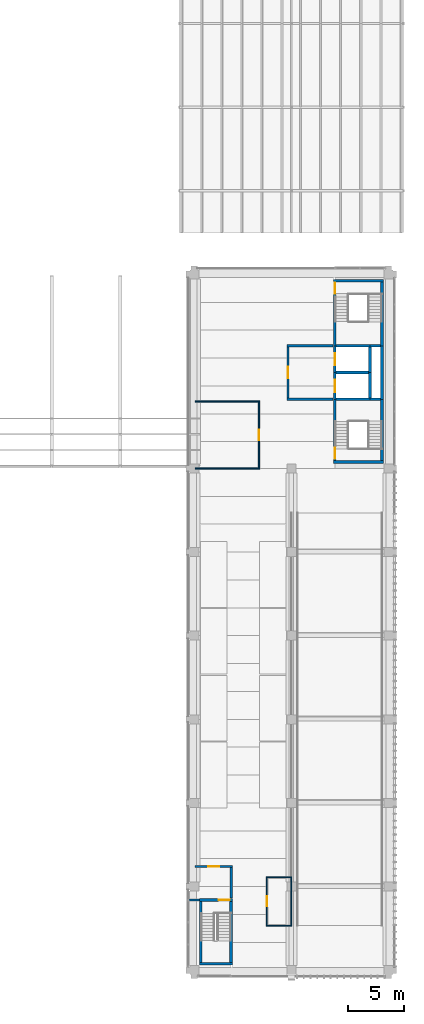
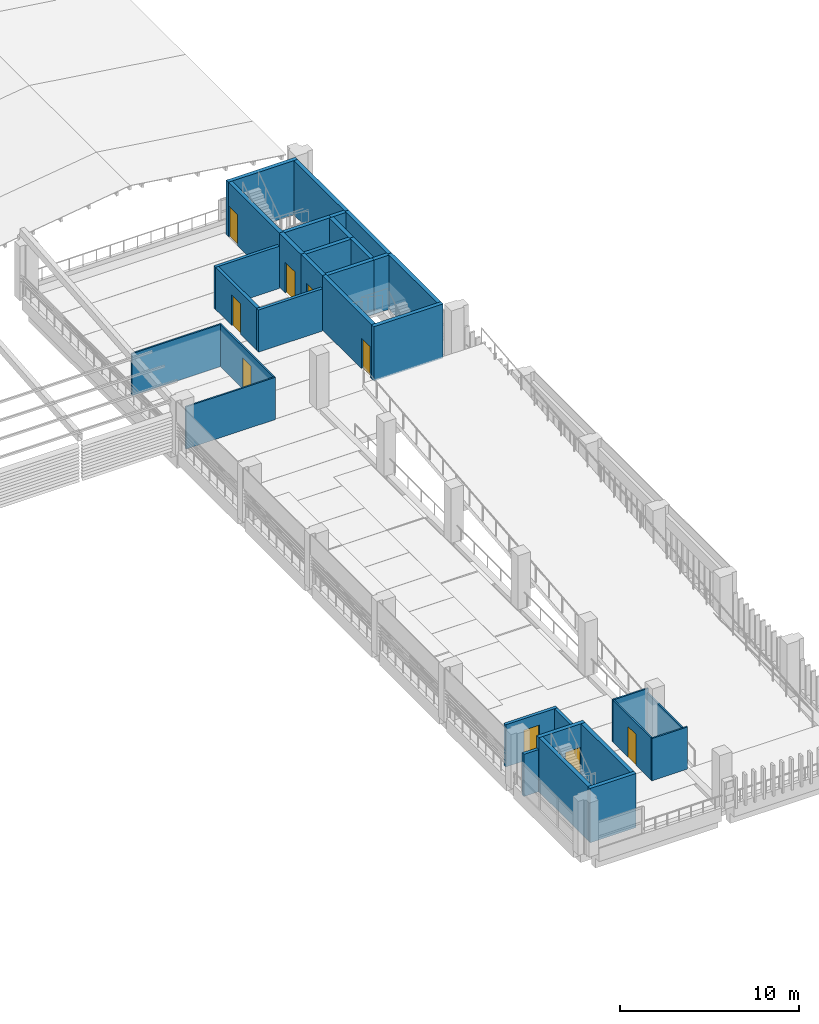
# One storey, part 25 of 52: 33 walls, 9 doors, 9 openings.
"""IFC4 building model written with IfcOpenShell, lengths in metres."""

from ifc_helpers import new_model, si_unit, direction, frame, frame_2d, origin, place, context, subcontext, project, spatial, rectangle, extrude, material, layer, layer_set, type_object, element, fill, save


model = new_model("IFC4")

# Units and contexts
model_context = context("Model", 3, precision=1e-05, world=origin(), true_north=direction((0.0, 1.0)))
body_context = subcontext(model_context, "Body", "Model", "MODEL_VIEW")
ifc_project = project(units=[si_unit("LENGTHUNIT", "METRE"), si_unit("AREAUNIT", "SQUARE_METRE"), si_unit("VOLUMEUNIT", "CUBIC_METRE"), si_unit("PLANEANGLEUNIT", "RADIAN"), si_unit("MASSUNIT", "GRAM", prefix="KILO")], contexts=[model_context])

# Site, building, storey
site_placement = place(None, origin())
site = spatial("IfcSite", under=ifc_project, at=site_placement, CompositionType="ELEMENT")
building_placement = place(site_placement, origin())
building = spatial("IfcBuilding", under=site, at=building_placement, Name="Cour d'Honneur Mobility Palace", CompositionType="ELEMENT")
storey_placement = place(building_placement, frame((0.0, 0.0, 23.0)))
storey = spatial("IfcBuildingStorey", under=building, at=storey_placement, Name="L06", CompositionType="ELEMENT", Elevation=23.0)

# Wall
ifc_material_1 = material(Name="Concrete C50", Category="concrete")
ifc_layer_1 = layer(ifc_material_1, 0.25)
ifc_layer_set_1 = layer_set([ifc_layer_1], Name="Concrete C50")
wall_type_1 = type_object("IfcWallType", Name="Lift shaft wall 250", PredefinedType="SHEAR", material=ifc_layer_set_1)
wall_1_placement = place(storey_placement, frame((157.625, 53.60009765625, 0.0), z_axis=(0.0, 0.0, 1.0), x_axis=(1.0, 0.0, 0.0)))
element("IfcWall", 1, at=wall_1_placement, inside=storey, type_object=wall_type_1, Name="Lift shaft wall WL-CE4 L06", PredefinedType="SHEAR", context=body_context, shape_type="SweptSolid", body=[
    extrude(rectangle(XDim=2.89990234375, YDim=0.25, at=frame_2d((1.449951171875, 0.0))), origin(), (0.0, 0.0, 1.0), 3.699951171875),
])

# Wall, opening, door
wall_2_placement = place(storey_placement, frame((157.5, 51.199951171875, 0.0), z_axis=(0.0, 0.0, 1.0), x_axis=(0.0, 1.0, 0.0)))
wall_2 = element("IfcWall", 2, at=wall_2_placement, inside=storey, type_object=wall_type_1, Name="Lift shaft wall WL-CE9 L06", PredefinedType="SHEAR", context=body_context, shape_type="SweptSolid", body=[
    extrude(rectangle(XDim=2.400146484375, YDim=0.25, at=frame_2d((1.2001953125, 0.0))), origin(), (0.0, 0.0, 1.0), 3.699951171875),
])
opening_1_placement = place(wall_2_placement, frame((0.64990234375, 0.0, 0.0)))
opening_1 = element("IfcOpeningElement", 3, at=opening_1_placement, cuts=wall_2, Name="Opening LD27", PredefinedType="OPENING", context=body_context, shape_type="SweptSolid", body=[
    extrude(rectangle(XDim=1.10009765625, YDim=2.10009765625, at=frame_2d((0.550048828125, 1.050048828125))), frame((0.0, 0.135009765625, 0.0), z_axis=(0.0, -1.0, 0.0), x_axis=(1.0, 0.0, 0.0)), (0.0, 0.0, 1.0), 0.27001953125),
])
ifc_material_2 = material(Name="Stainless steel", Category="steel")
door_type_1 = type_object("IfcDoorType", Name="Landing door 1100 x 2100", OperationType="SLIDING_TO_LEFT", PredefinedType="DOOR", material=ifc_material_2)
door_1_placement = place(opening_1_placement, origin())
door_1 = element("IfcDoor", 4, at=door_1_placement, inside=storey, type_object=door_type_1, Name="Landing door LF-CE1 L06", OperationType="SLIDING_TO_LEFT", OverallHeight=2.10009765625, OverallWidth=1.10009765625, PredefinedType="DOOR", context=body_context, shape_type="SweptSolid", body=[
    extrude(rectangle(XDim=1.10009765625, YDim=2.10009765625, at=frame_2d((0.550048828125, 1.050048828125))), frame((0.0, 0.02490234375, 0.0), z_axis=(0.0, -1.0, 0.0), x_axis=(1.0, 0.0, 0.0)), (0.0, 0.0, 1.0), 0.050048828125),
])
fill(opening_1, door_1)

wall_3_placement = place(storey_placement, frame((157.5, 53.60009765625, 0.0), z_axis=(0.0, 0.0, 1.0), x_axis=(0.0, 1.0, 0.0)))
wall_3 = element("IfcWall", 5, at=wall_3_placement, inside=storey, type_object=wall_type_1, Name="Lift shaft wall WL-CE10 L06", PredefinedType="SHEAR", context=body_context, shape_type="SweptSolid", body=[
    extrude(rectangle(XDim=2.39990234375, YDim=0.25, at=frame_2d((1.199951171875, 0.0))), origin(), (0.0, 0.0, 1.0), 3.699951171875),
])
opening_2_placement = place(wall_3_placement, frame((0.64990234375, 0.0, 0.0)))
opening_2 = element("IfcOpeningElement", 6, at=opening_2_placement, cuts=wall_3, Name="Opening LD37", PredefinedType="OPENING", context=body_context, shape_type="SweptSolid", body=[
    extrude(rectangle(XDim=1.10009765625, YDim=2.10009765625, at=frame_2d((0.550048828125, 1.050048828125))), frame((0.0, 0.135009765625, 0.0), z_axis=(0.0, -1.0, 0.0), x_axis=(1.0, 0.0, 0.0)), (0.0, 0.0, 1.0), 0.27001953125),
])
door_2_placement = place(opening_2_placement, origin())
door_2 = element("IfcDoor", 7, at=door_2_placement, inside=storey, type_object=door_type_1, Name="Landing door LF-CE2 L06", OperationType="SLIDING_TO_LEFT", OverallHeight=2.10009765625, OverallWidth=1.10009765625, PredefinedType="DOOR", context=body_context, shape_type="SweptSolid", body=[
    extrude(rectangle(XDim=1.10009765625, YDim=2.10009765625, at=frame_2d((0.550048828125, 1.050048828125))), frame((0.0, 0.02490234375, 0.0), z_axis=(0.0, -1.0, 0.0), x_axis=(1.0, 0.0, 0.0)), (0.0, 0.0, 1.0), 0.050048828125),
])
fill(opening_2, door_2)

# Walls
wall_4_placement = place(storey_placement, frame((160.64990234375, 51.324951171875, 0.0), z_axis=(0.0, 0.0, 1.0), x_axis=(0.0, 1.0, 0.0)))
element("IfcWall", 8, at=wall_4_placement, inside=storey, type_object=wall_type_1, Name="Lift shaft wall WL-CE12 L06", PredefinedType="SHEAR", context=body_context, shape_type="SweptSolid", body=[
    extrude(rectangle(XDim=2.275146484375, YDim=0.25, at=frame_2d((1.1376953125, 0.0))), origin(), (0.0, 0.0, 1.0), 3.699951171875),
])
wall_5_placement = place(storey_placement, frame((160.64990234375, 53.60009765625, 0.0), z_axis=(0.0, 0.0, 1.0), x_axis=(0.0, 1.0, 0.0)))
element("IfcWall", 9, at=wall_5_placement, inside=storey, type_object=wall_type_1, Name="Lift shaft wall WL-CE13 L06", PredefinedType="SHEAR", context=body_context, shape_type="SweptSolid", body=[
    extrude(rectangle(XDim=2.27490234375, YDim=0.25, at=frame_2d((1.137451171875, 0.0))), origin(), (0.0, 0.0, 1.0), 3.699951171875),
])
ifc_material_3 = material(Name="Gypsum plasterboard")
ifc_layer_2 = layer(ifc_material_3, 0.10009765625)
ifc_layer_set_2 = layer_set([ifc_layer_2], Name="Gypsum plasterboard")
wall_type_2 = type_object("IfcWallType", Name="Partition 100", PredefinedType="PARTITIONING", material=ifc_layer_set_2)
wall_6_placement = place(storey_placement, frame((151.35009765625, 4.0, 0.0), z_axis=(0.0, 0.0, 1.0), x_axis=(1.0, 0.0, 0.0)))
element("IfcWall", 10, at=wall_6_placement, inside=storey, type_object=wall_type_2, Name="Partition 003", PredefinedType="PARTITIONING", context=body_context, shape_type="SweptSolid", body=[
    extrude(rectangle(XDim=2.2998046875, YDim=0.10009765625, at=frame_2d((1.14990234375, 0.0))), origin(), (0.0, 0.0, 1.0), 2.8798828125),
])

# Wall, opening, door
wall_7_placement = place(storey_placement, frame((151.39990234375, 8.300048828125, 0.0), z_axis=(0.0, 0.0, 1.0), x_axis=(0.0, -1.0, 0.0)))
wall_7 = element("IfcWall", 11, at=wall_7_placement, inside=storey, type_object=wall_type_2, Name="Partition 010", PredefinedType="PARTITIONING", context=body_context, shape_type="SweptSolid", body=[
    extrude(rectangle(XDim=4.25, YDim=0.10009765625, at=frame_2d((2.125, 0.0))), origin(), (0.0, 0.0, 1.0), 2.8798828125),
])
opening_3_placement = place(wall_7_placement, frame((1.675048828125, 0.0, 0.0)))
opening_3 = element("IfcOpeningElement", 12, at=opening_3_placement, cuts=wall_7, Name="Opening D0605", PredefinedType="OPENING", context=body_context, shape_type="SweptSolid", body=[
    extrude(rectangle(XDim=0.89990234375, YDim=2.10009765625, at=frame_2d((0.449951171875, 1.050048828125))), frame((0.0, 0.06005859375, 0.0), z_axis=(0.0, -1.0, 0.0), x_axis=(1.0, 0.0, 0.0)), (0.0, 0.0, 1.0), 0.1201171875),
])
ifc_material_4 = material(Name="Solid timber", Category="wood")
door_type_2 = type_object("IfcDoorType", Name="Single door 900 x 2100", OperationType="SINGLE_SWING_LEFT", PredefinedType="DOOR", material=ifc_material_4)
door_3_placement = place(opening_3_placement, origin())
door_3 = element("IfcDoor", 13, at=door_3_placement, inside=storey, type_object=door_type_2, Name="Door Valet Handover East", OperationType="SINGLE_SWING_RIGHT", OverallHeight=2.10009765625, OverallWidth=0.89990234375, PredefinedType="DOOR", context=body_context, shape_type="SweptSolid", body=[
    extrude(rectangle(XDim=0.89990234375, YDim=2.10009765625, at=frame_2d((0.449951171875, 1.050048828125))), frame((0.0, 0.02490234375, 0.0), z_axis=(0.0, -1.0, 0.0), x_axis=(1.0, 0.0, 0.0)), (0.0, 0.0, 1.0), 0.050048828125),
])
fill(opening_3, door_3)

# Walls
wall_8_placement = place(storey_placement, frame((153.64990234375, 8.35009765625, 0.0), z_axis=(0.0, 0.0, 1.0), x_axis=(-1.0, 0.0, 0.0)))
element("IfcWall", 14, at=wall_8_placement, inside=storey, type_object=wall_type_2, Name="Partition 011", PredefinedType="PARTITIONING", context=body_context, shape_type="SweptSolid", body=[
    extrude(rectangle(XDim=2.2998046875, YDim=0.10009765625, at=frame_2d((1.14990234375, 0.0))), origin(), (0.0, 0.0, 1.0), 2.8798828125),
])
wall_9_placement = place(storey_placement, frame((144.9599609375, 45.0, 0.0), z_axis=(0.0, 0.0, 1.0), x_axis=(1.0, 0.0, 0.0)))
element("IfcWall", 15, at=wall_9_placement, inside=storey, type_object=wall_type_2, Name="Partition 016", PredefinedType="PARTITIONING", context=body_context, shape_type="SweptSolid", body=[
    extrude(rectangle(XDim=5.7900390625, YDim=0.10009765625, at=frame_2d((2.89501953125, 0.0))), origin(), (0.0, 0.0, 1.0), 2.8798828125),
])

# Wall, opening, door
wall_10_placement = place(storey_placement, frame((150.699951171875, 45.050048828125, 0.0), z_axis=(0.0, 0.0, 1.0), x_axis=(0.0, 1.0, 0.0)))
wall_10 = element("IfcWall", 16, at=wall_10_placement, inside=storey, type_object=wall_type_2, Name="Partition 017", PredefinedType="PARTITIONING", context=body_context, shape_type="SweptSolid", body=[
    extrude(rectangle(XDim=5.89990234375, YDim=0.10009765625, at=frame_2d((2.949951171875, 0.0))), origin(), (0.0, 0.0, 1.0), 2.8798828125),
])
opening_4_placement = place(wall_10_placement, frame((2.5, 0.0, 0.0)))
opening_4 = element("IfcOpeningElement", 17, at=opening_4_placement, cuts=wall_10, Name="Opening D0607", PredefinedType="OPENING", context=body_context, shape_type="SweptSolid", body=[
    extrude(rectangle(XDim=0.89990234375, YDim=2.10009765625, at=frame_2d((0.449951171875, 1.050048828125))), frame((0.0, 0.06005859375, 0.0), z_axis=(0.0, -1.0, 0.0), x_axis=(1.0, 0.0, 0.0)), (0.0, 0.0, 1.0), 0.1201171875),
])
door_4_placement = place(opening_4_placement, origin())
door_4 = element("IfcDoor", 18, at=door_4_placement, inside=storey, type_object=door_type_2, Name="Door Attendant Room", OperationType="SINGLE_SWING_RIGHT", OverallHeight=2.10009765625, OverallWidth=0.89990234375, PredefinedType="DOOR", context=body_context, shape_type="SweptSolid", body=[
    extrude(rectangle(XDim=0.89990234375, YDim=2.10009765625, at=frame_2d((0.449951171875, 1.050048828125))), frame((0.0, 0.02490234375, 0.0), z_axis=(0.0, -1.0, 0.0), x_axis=(1.0, 0.0, 0.0)), (0.0, 0.0, 1.0), 0.050048828125),
])
fill(opening_4, door_4)

# Walls
wall_11_placement = place(storey_placement, frame((150.75, 51.0, 0.0), z_axis=(0.0, 0.0, 1.0), x_axis=(-1.0, 0.0, 0.0)))
element("IfcWall", 19, at=wall_11_placement, inside=storey, type_object=wall_type_2, Name="Partition 020", PredefinedType="PARTITIONING", context=body_context, shape_type="SweptSolid", body=[
    extrude(rectangle(XDim=5.7900390625, YDim=0.10009765625, at=frame_2d((2.89501953125, 0.0))), origin(), (0.0, 0.0, 1.0), 2.8798828125),
])
ifc_material_5 = material(Name="Gypsum plasterboard")
ifc_layer_3 = layer(ifc_material_5, 0.10009765625)
ifc_layer_set_3 = layer_set([ifc_layer_3], Name="Gypsum plasterboard")
wall_type_3 = type_object("IfcWallType", Name="Partition 100 under beam 1100", PredefinedType="PARTITIONING", material=ifc_layer_set_3)
wall_12_placement = place(storey_placement, frame((153.60009765625, 4.050048828125, 0.0), z_axis=(0.0, 0.0, 1.0), x_axis=(0.0, 1.0, 0.0)))
element("IfcWall", 20, at=wall_12_placement, inside=storey, type_object=wall_type_3, Name="Partition 004", PredefinedType="PARTITIONING", context=body_context, shape_type="SweptSolid", body=[
    extrude(rectangle(XDim=4.25, YDim=0.10009765625, at=frame_2d((2.125, 0.0))), origin(), (0.0, 0.0, 1.0), 2.60009765625),
])
ifc_material_6 = material(Name="Gypsum plasterboard")
ifc_layer_4 = layer(ifc_material_6, 0.199951171875)
ifc_layer_set_4 = layer_set([ifc_layer_4], Name="Gypsum plasterboard")
wall_type_4 = type_object("IfcWallType", Name="Partition 200 rated EI 120", PredefinedType="PARTITIONING", material=ifc_layer_set_4)
wall_13_placement = place(storey_placement, frame((144.39990234375, 6.300048828125, 0.0), z_axis=(0.0, 0.0, 1.0), x_axis=(1.0, 0.0, 0.0)))
element("IfcWall", 21, at=wall_13_placement, inside=storey, type_object=wall_type_4, Name="Partition 006", PredefinedType="PARTITIONING", context=body_context, shape_type="SweptSolid", body=[
    extrude(rectangle(XDim=0.9501953125, YDim=0.199951171875, at=frame_2d((0.47509765625, 0.0))), origin(), (0.0, 0.0, 1.0), 2.8798828125),
])
wall_14_placement = place(storey_placement, frame((148.199951171875, 6.47509765625, 0.0), z_axis=(0.0, 0.0, 1.0), x_axis=(0.0, 1.0, 0.0)))
element("IfcWall", 22, at=wall_14_placement, inside=storey, type_object=wall_type_4, Name="Partition 007", PredefinedType="PARTITIONING", context=body_context, shape_type="SweptSolid", body=[
    extrude(rectangle(XDim=2.724853515625, YDim=0.199951171875, at=frame_2d((1.3623046875, 0.0))), origin(), (0.0, 0.0, 1.0), 2.8798828125),
])

# Wall, opening, door
wall_15_placement = place(storey_placement, frame((148.300048828125, 9.300048828125, 0.0), z_axis=(0.0, 0.0, 1.0), x_axis=(-1.0, 0.0, 0.0)))
wall_15 = element("IfcWall", 23, at=wall_15_placement, inside=storey, type_object=wall_type_4, Name="Partition 014", PredefinedType="PARTITIONING", context=body_context, shape_type="SweptSolid", body=[
    extrude(rectangle(XDim=3.340087890625, YDim=0.199951171875, at=frame_2d((1.669921875, 0.0))), origin(), (0.0, 0.0, 1.0), 2.8798828125),
])
opening_5_placement = place(wall_15_placement, frame((1.169921875, 0.0, 0.0)))
opening_5 = element("IfcOpeningElement", 24, at=opening_5_placement, cuts=wall_15, Name="Opening D0603", PredefinedType="OPENING", context=body_context, shape_type="SweptSolid", body=[
    extrude(rectangle(XDim=1.0, YDim=2.10009765625, at=frame_2d((0.5, 1.050048828125))), frame((0.0, 0.10986328125, 0.0), z_axis=(0.0, -1.0, 0.0), x_axis=(1.0, 0.0, 0.0)), (0.0, 0.0, 1.0), 0.219970703125),
])
ifc_material_7 = material(Name="Galvanised steel", Category="steel")
door_type_3 = type_object("IfcDoorType", Name="Fire door FD120 1000 x 2100", OperationType="SINGLE_SWING_LEFT", PredefinedType="DOOR", material=ifc_material_7)
door_5_placement = place(opening_5_placement, origin())
door_5 = element("IfcDoor", 25, at=door_5_placement, inside=storey, type_object=door_type_3, Name="Door Stair Lobby RE", OperationType="SINGLE_SWING_RIGHT", OverallHeight=2.10009765625, OverallWidth=1.0, PredefinedType="DOOR", context=body_context, shape_type="SweptSolid", body=[
    extrude(rectangle(XDim=1.0, YDim=2.10009765625, at=frame_2d((0.5, 1.050048828125))), frame((0.0, 0.02490234375, 0.0), z_axis=(0.0, -1.0, 0.0), x_axis=(1.0, 0.0, 0.0)), (0.0, 0.0, 1.0), 0.050048828125),
])
fill(opening_5, door_5)

# Wall
wall_16_placement = place(storey_placement, frame((153.199951171875, 51.199951171875, 0.0), z_axis=(0.0, 0.0, 1.0), x_axis=(1.0, 0.0, 0.0)))
element("IfcWall", 26, at=wall_16_placement, inside=storey, type_object=wall_type_4, Name="Partition 023", PredefinedType="PARTITIONING", context=body_context, shape_type="SweptSolid", body=[
    extrude(rectangle(XDim=4.125, YDim=0.199951171875, at=frame_2d((2.0625, 0.0))), origin(), (0.0, 0.0, 1.0), 2.8798828125),
])

# Wall, opening, door
wall_17_placement = place(storey_placement, frame((153.300048828125, 55.89990234375, 0.0), z_axis=(0.0, 0.0, 1.0), x_axis=(0.0, -1.0, 0.0)))
wall_17 = element("IfcWall", 27, at=wall_17_placement, inside=storey, type_object=wall_type_4, Name="Partition 025", PredefinedType="PARTITIONING", context=body_context, shape_type="SweptSolid", body=[
    extrude(rectangle(XDim=4.599853515625, YDim=0.199951171875, at=frame_2d((2.2998046875, 0.0))), origin(), (0.0, 0.0, 1.0), 2.8798828125),
])
opening_6_placement = place(wall_17_placement, frame((1.800048828125, 0.0, 0.0)))
opening_6 = element("IfcOpeningElement", 28, at=opening_6_placement, cuts=wall_17, Name="Opening D0608", PredefinedType="OPENING", context=body_context, shape_type="SweptSolid", body=[
    extrude(rectangle(XDim=1.0, YDim=2.10009765625, at=frame_2d((0.5, 1.050048828125))), frame((0.0, 0.10986328125, 0.0), z_axis=(0.0, -1.0, 0.0), x_axis=(1.0, 0.0, 0.0)), (0.0, 0.0, 1.0), 0.219970703125),
])
door_6_placement = place(opening_6_placement, origin())
door_6 = element("IfcDoor", 29, at=door_6_placement, inside=storey, type_object=door_type_3, Name="Door Firefighting Lobby CE", OperationType="SINGLE_SWING_LEFT", OverallHeight=2.10009765625, OverallWidth=1.0, PredefinedType="DOOR", context=body_context, shape_type="SweptSolid", body=[
    extrude(rectangle(XDim=1.0, YDim=2.10009765625, at=frame_2d((0.5, 1.050048828125))), frame((0.0, 0.02490234375, 0.0), z_axis=(0.0, -1.0, 0.0), x_axis=(1.0, 0.0, 0.0)), (0.0, 0.0, 1.0), 0.050048828125),
])
fill(opening_6, door_6)

# Walls
wall_18_placement = place(storey_placement, frame((157.324951171875, 56.0, 0.0), z_axis=(0.0, 0.0, 1.0), x_axis=(-1.0, 0.0, 0.0)))
element("IfcWall", 30, at=wall_18_placement, inside=storey, type_object=wall_type_4, Name="Partition 026", PredefinedType="PARTITIONING", context=body_context, shape_type="SweptSolid", body=[
    extrude(rectangle(XDim=4.125, YDim=0.199951171875, at=frame_2d((2.0625, 0.0))), origin(), (0.0, 0.0, 1.0), 2.8798828125),
])
ifc_material_8 = material(Name="Concrete C50", Category="concrete")
ifc_layer_5 = layer(ifc_material_8, 0.25)
ifc_layer_set_5 = layer_set([ifc_layer_5], Name="Concrete C50")
wall_type_5 = type_object("IfcWallType", Name="Shaft wall 250", PredefinedType="SHEAR", material=ifc_layer_set_5)
wall_19_placement = place(storey_placement, frame((161.72509765625, 51.199951171875, 0.0), z_axis=(0.0, 0.0, 1.0), x_axis=(0.0, 1.0, 0.0)))
element("IfcWall", 31, at=wall_19_placement, inside=storey, type_object=wall_type_5, Name="Shaft wall WR-CE15 L06", PredefinedType="SHEAR", context=body_context, shape_type="SweptSolid", body=[
    extrude(rectangle(XDim=4.800048828125, YDim=0.25, at=frame_2d((2.39990234375, 0.0))), origin(), (0.0, 0.0, 1.0), 3.699951171875),
])
ifc_material_9 = material(Name="Concrete C50", Category="concrete")
ifc_layer_6 = layer(ifc_material_9, 0.25)
ifc_layer_set_6 = layer_set([ifc_layer_6], Name="Concrete C50")
wall_type_6 = type_object("IfcWallType", Name="Stair wall 250", PredefinedType="SHEAR", material=ifc_layer_set_6)
wall_20_placement = place(storey_placement, frame((157.375, 45.574951171875, 0.0), z_axis=(0.0, 0.0, 1.0), x_axis=(1.0, 0.0, 0.0)))
element("IfcWall", 32, at=wall_20_placement, inside=storey, type_object=wall_type_6, Name="Stair wall WS-CE1 L06", PredefinedType="SHEAR", context=body_context, shape_type="SweptSolid", body=[
    extrude(rectangle(XDim=4.47509765625, YDim=0.25, at=frame_2d((2.237548828125, 0.0))), origin(), (0.0, 0.0, 1.0), 3.699951171875),
])
wall_21_placement = place(storey_placement, frame((157.625, 51.199951171875, 0.0), z_axis=(0.0, 0.0, 1.0), x_axis=(1.0, 0.0, 0.0)))
element("IfcWall", 33, at=wall_21_placement, inside=storey, type_object=wall_type_6, Name="Stair wall WS-CE2 L06", PredefinedType="SHEAR", context=body_context, shape_type="SweptSolid", body=[
    extrude(rectangle(XDim=3.02490234375, YDim=0.25, at=frame_2d((1.512451171875, 0.0))), origin(), (0.0, 0.0, 1.0), 3.699951171875),
])
wall_22_placement = place(storey_placement, frame((160.64990234375, 51.199951171875, 0.0), z_axis=(0.0, 0.0, 1.0), x_axis=(1.0, 0.0, 0.0)))
element("IfcWall", 34, at=wall_22_placement, inside=storey, type_object=wall_type_6, Name="Stair wall WS-CE3 L06", PredefinedType="SHEAR", context=body_context, shape_type="SweptSolid", body=[
    extrude(rectangle(XDim=0.9501953125, YDim=0.25, at=frame_2d((0.47509765625, 0.0))), origin(), (0.0, 0.0, 1.0), 3.699951171875),
])
wall_23_placement = place(storey_placement, frame((157.625, 56.0, 0.0), z_axis=(0.0, 0.0, 1.0), x_axis=(1.0, 0.0, 0.0)))
element("IfcWall", 35, at=wall_23_placement, inside=storey, type_object=wall_type_6, Name="Stair wall WS-CE5 L06", PredefinedType="SHEAR", context=body_context, shape_type="SweptSolid", body=[
    extrude(rectangle(XDim=3.02490234375, YDim=0.25, at=frame_2d((1.512451171875, 0.0))), origin(), (0.0, 0.0, 1.0), 3.699951171875),
])
wall_24_placement = place(storey_placement, frame((160.64990234375, 56.0, 0.0), z_axis=(0.0, 0.0, 1.0), x_axis=(1.0, 0.0, 0.0)))
element("IfcWall", 36, at=wall_24_placement, inside=storey, type_object=wall_type_6, Name="Stair wall WS-CE6 L06", PredefinedType="SHEAR", context=body_context, shape_type="SweptSolid", body=[
    extrude(rectangle(XDim=0.9501953125, YDim=0.25, at=frame_2d((0.47509765625, 0.0))), origin(), (0.0, 0.0, 1.0), 3.699951171875),
])
wall_25_placement = place(storey_placement, frame((157.375, 61.824951171875, 0.0), z_axis=(0.0, 0.0, 1.0), x_axis=(1.0, 0.0, 0.0)))
element("IfcWall", 37, at=wall_25_placement, inside=storey, type_object=wall_type_6, Name="Stair wall WS-CE7 L06", PredefinedType="SHEAR", context=body_context, shape_type="SweptSolid", body=[
    extrude(rectangle(XDim=4.47509765625, YDim=0.25, at=frame_2d((2.237548828125, 0.0))), origin(), (0.0, 0.0, 1.0), 3.699951171875),
])

# Wall, opening, door
wall_26_placement = place(storey_placement, frame((157.5, 45.699951171875, 0.0), z_axis=(0.0, 0.0, 1.0), x_axis=(0.0, 1.0, 0.0)))
wall_26 = element("IfcWall", 38, at=wall_26_placement, inside=storey, type_object=wall_type_6, Name="Stair wall WS-CE8 L06", PredefinedType="SHEAR", context=body_context, shape_type="SweptSolid", body=[
    extrude(rectangle(XDim=5.5, YDim=0.25, at=frame_2d((2.75, 0.0))), origin(), (0.0, 0.0, 1.0), 3.699951171875),
])
opening_7_placement = place(wall_26_placement, frame((0.14990234375, 0.0, 0.0)))
opening_7 = element("IfcOpeningElement", 39, at=opening_7_placement, cuts=wall_26, Name="Opening S145", PredefinedType="OPENING", context=body_context, shape_type="SweptSolid", body=[
    extrude(rectangle(XDim=1.0, YDim=2.10009765625, at=frame_2d((0.5, 1.050048828125))), frame((0.0, 0.135009765625, 0.0), z_axis=(0.0, -1.0, 0.0), x_axis=(1.0, 0.0, 0.0)), (0.0, 0.0, 1.0), 0.27001953125),
])
ifc_material_10 = material(Name="Galvanised steel", Category="steel")
door_type_4 = type_object("IfcDoorType", Name="Fire door FD120 stair 1000 x 2100", OperationType="SINGLE_SWING_LEFT", PredefinedType="DOOR", material=ifc_material_10)
door_7_placement = place(opening_7_placement, origin())
door_7 = element("IfcDoor", 40, at=door_7_placement, inside=storey, type_object=door_type_4, Name="Stair door ST-CE1 L06", OperationType="SINGLE_SWING_LEFT", OverallHeight=2.10009765625, OverallWidth=1.0, PredefinedType="DOOR", context=body_context, shape_type="SweptSolid", body=[
    extrude(rectangle(XDim=1.0, YDim=2.10009765625, at=frame_2d((0.5, 1.050048828125))), frame((0.0, 0.02490234375, 0.0), z_axis=(0.0, -1.0, 0.0), x_axis=(1.0, 0.0, 0.0)), (0.0, 0.0, 1.0), 0.050048828125),
])
fill(opening_7, door_7)

wall_27_placement = place(storey_placement, frame((157.5, 56.0, 0.0), z_axis=(0.0, 0.0, 1.0), x_axis=(0.0, 1.0, 0.0)))
wall_27 = element("IfcWall", 41, at=wall_27_placement, inside=storey, type_object=wall_type_6, Name="Stair wall WS-CE11 L06", PredefinedType="SHEAR", context=body_context, shape_type="SweptSolid", body=[
    extrude(rectangle(XDim=5.699951171875, YDim=0.25, at=frame_2d((2.85009765625, 0.0))), origin(), (0.0, 0.0, 1.0), 3.699951171875),
])
opening_8_placement = place(wall_27_placement, frame((4.675048828125, 0.0, 0.0)))
opening_8 = element("IfcOpeningElement", 42, at=opening_8_placement, cuts=wall_27, Name="Opening S81", PredefinedType="OPENING", context=body_context, shape_type="SweptSolid", body=[
    extrude(rectangle(XDim=1.0, YDim=2.10009765625, at=frame_2d((0.5, 1.050048828125))), frame((0.0, 0.135009765625, 0.0), z_axis=(0.0, -1.0, 0.0), x_axis=(1.0, 0.0, 0.0)), (0.0, 0.0, 1.0), 0.27001953125),
])
door_8_placement = place(opening_8_placement, origin())
door_8 = element("IfcDoor", 43, at=door_8_placement, inside=storey, type_object=door_type_4, Name="Stair door ST-CE2 L06", OperationType="SINGLE_SWING_RIGHT", OverallHeight=2.10009765625, OverallWidth=1.0, PredefinedType="DOOR", context=body_context, shape_type="SweptSolid", body=[
    extrude(rectangle(XDim=1.0, YDim=2.10009765625, at=frame_2d((0.5, 1.050048828125))), frame((0.0, 0.02490234375, 0.0), z_axis=(0.0, -1.0, 0.0), x_axis=(1.0, 0.0, 0.0)), (0.0, 0.0, 1.0), 0.050048828125),
])
fill(opening_8, door_8)

# Walls
wall_28_placement = place(storey_placement, frame((161.72509765625, 45.699951171875, 0.0), z_axis=(0.0, 0.0, 1.0), x_axis=(0.0, 1.0, 0.0)))
element("IfcWall", 44, at=wall_28_placement, inside=storey, type_object=wall_type_6, Name="Stair wall WS-CE14 L06", PredefinedType="SHEAR", context=body_context, shape_type="SweptSolid", body=[
    extrude(rectangle(XDim=5.5, YDim=0.25, at=frame_2d((2.75, 0.0))), origin(), (0.0, 0.0, 1.0), 3.699951171875),
])
wall_29_placement = place(storey_placement, frame((161.72509765625, 56.0, 0.0), z_axis=(0.0, 0.0, 1.0), x_axis=(0.0, 1.0, 0.0)))
element("IfcWall", 45, at=wall_29_placement, inside=storey, type_object=wall_type_6, Name="Stair wall WS-CE16 L06", PredefinedType="SHEAR", context=body_context, shape_type="SweptSolid", body=[
    extrude(rectangle(XDim=5.699951171875, YDim=0.25, at=frame_2d((2.85009765625, 0.0))), origin(), (0.0, 0.0, 1.0), 3.699951171875),
])
wall_30_placement = place(storey_placement, frame((145.35009765625, 0.574951171875, 0.0), z_axis=(0.0, 0.0, 1.0), x_axis=(1.0, 0.0, 0.0)))
element("IfcWall", 46, at=wall_30_placement, inside=storey, type_object=wall_type_6, Name="Stair wall WS-RE1 L06", PredefinedType="SHEAR", context=body_context, shape_type="SweptSolid", body=[
    extrude(rectangle(XDim=2.974853515625, YDim=0.25, at=frame_2d((1.4873046875, 0.0))), origin(), (0.0, 0.0, 1.0), 3.699951171875),
])

# Wall, opening, door
wall_31_placement = place(storey_placement, frame((145.35009765625, 6.300048828125, 0.0), z_axis=(0.0, 0.0, 1.0), x_axis=(1.0, 0.0, 0.0)))
wall_31 = element("IfcWall", 47, at=wall_31_placement, inside=storey, type_object=wall_type_6, Name="Stair wall WS-RE2 L06", PredefinedType="SHEAR", context=body_context, shape_type="SweptSolid", body=[
    extrude(rectangle(XDim=2.974853515625, YDim=0.25, at=frame_2d((1.4873046875, 0.0))), origin(), (0.0, 0.0, 1.0), 3.699951171875),
])
opening_9_placement = place(wall_31_placement, frame((1.72509765625, 0.0, 0.0)))
opening_9 = element("IfcOpeningElement", 48, at=opening_9_placement, cuts=wall_31, Name="Opening S125", PredefinedType="OPENING", context=body_context, shape_type="SweptSolid", body=[
    extrude(rectangle(XDim=1.0, YDim=2.10009765625, at=frame_2d((0.5, 1.050048828125))), frame((0.0, 0.135009765625, 0.0), z_axis=(0.0, -1.0, 0.0), x_axis=(1.0, 0.0, 0.0)), (0.0, 0.0, 1.0), 0.27001953125),
])
door_9_placement = place(opening_9_placement, origin())
door_9 = element("IfcDoor", 49, at=door_9_placement, inside=storey, type_object=door_type_4, Name="Stair door ST-RE1 L06", OperationType="SINGLE_SWING_RIGHT", OverallHeight=2.10009765625, OverallWidth=1.0, PredefinedType="DOOR", context=body_context, shape_type="SweptSolid", body=[
    extrude(rectangle(XDim=1.0, YDim=2.10009765625, at=frame_2d((0.5, 1.050048828125))), frame((0.0, 0.02490234375, 0.0), z_axis=(0.0, -1.0, 0.0), x_axis=(1.0, 0.0, 0.0)), (0.0, 0.0, 1.0), 0.050048828125),
])
fill(opening_9, door_9)

# Walls
for number, where, z_axis, x_axis, name in (
    (50, (145.47509765625, 0.699951171875, 0.0), (0.0, 0.0, 1.0), (0.0, 1.0, 0.0), "Stair wall WS-RE3 L06"),
    (51, (148.199951171875, 0.699951171875, 0.0), (0.0, 0.0, 1.0), (0.0, 1.0, 0.0), "Stair wall WS-RE4 L06"),
):
    element("IfcWall", number, at=place(storey_placement, frame(where, z_axis=z_axis, x_axis=x_axis)), inside=storey, type_object=wall_type_6, Name=name, PredefinedType="SHEAR", context=body_context, shape_type="SweptSolid", body=[
        extrude(rectangle(XDim=5.47509765625, YDim=0.25, at=frame_2d((2.737548828125, 0.0))), origin(), (0.0, 0.0, 1.0), 3.699951171875),
    ])

save(model, "model.ifc")
